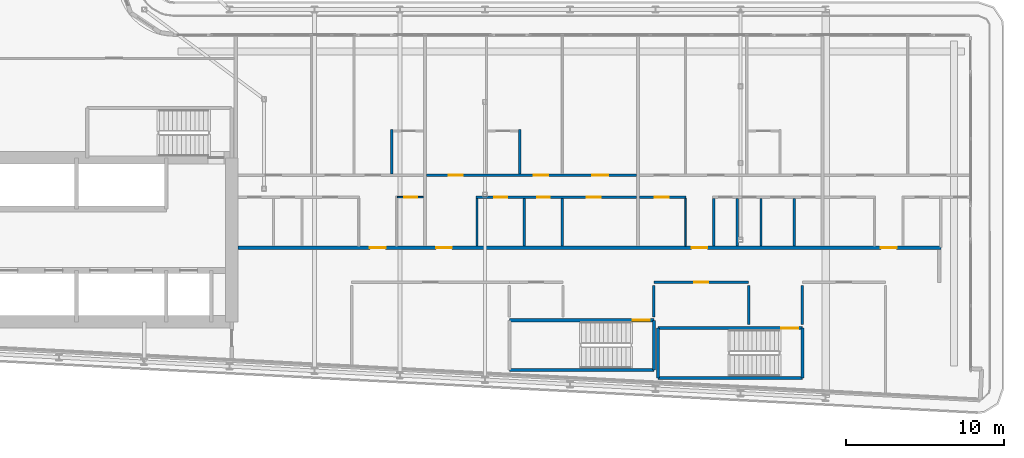
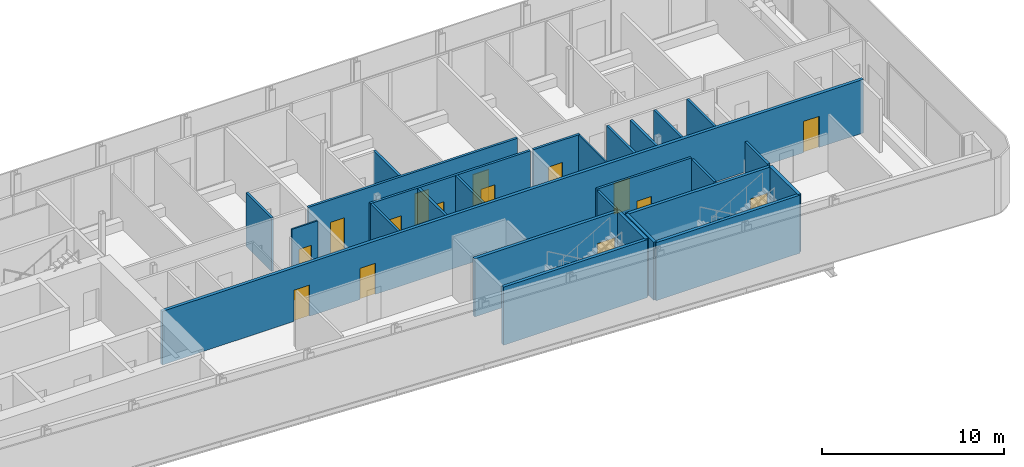
# One storey, part 16 of 29: 26 walls, 15 doors, 15 openings.
"""IFC4 building model written with IfcOpenShell, lengths in metres."""

import ifcopenshell
import ifcopenshell.guid

model = None  # the IFC model being written
_history = None  # IfcOwnerHistory: only IFC2X3 demands one
_inside = {}  # id of a spatial element -> (the spatial element, [elements in it])
_under = {}  # id of a project, library or spatial element -> (it, [spatial elements below it])
_declared = {}  # id of a project -> (the project, [libraries it declares])
_typed = {}  # id of a type object -> (the type object, [elements of that type])
_made_of = {}  # id of a material, layer set ... -> (it, [elements and type objects made of it])


def new_model(schema):
    """Start an empty IFC model of exactly this schema.

    Asked for "IFC4X3", IfcOpenShell would pick the latest addendum, in which some entities
    have other attributes; the version numbers below select the first issue.
    IFC2X3 requires an IfcOwnerHistory on every rooted entity: one is made here for all.
    """
    global model, _history
    if schema == "IFC4X3":
        model = ifcopenshell.file(schema_version=(4, 3, 0, 0))
    else:
        model = ifcopenshell.file(schema=schema)
    _inside.clear()
    _under.clear()
    _declared.clear()
    _typed.clear()
    _made_of.clear()
    _history = None
    if model.schema == "IFC2X3":
        org = make("IfcOrganization", Name="unknown")
        user = make(
            "IfcPersonAndOrganization",
            ThePerson=make("IfcPerson", FamilyName="unknown"),
            TheOrganization=org,
        )
        app = make(
            "IfcApplication",
            ApplicationDeveloper=org,
            Version="unknown",
            ApplicationFullName="unknown",
            ApplicationIdentifier="unknown",
        )
        _history = make(
            "IfcOwnerHistory",
            OwningUser=user,
            OwningApplication=app,
            ChangeAction="ADDED",
            CreationDate=0,
        )
    return model


def make(cls, **values):
    """One entity of the class cls with the attributes given. An attribute that is None is left unset."""
    return model.create_entity(
        cls, **{name: value for name, value in values.items() if value is not None}
    )


def rooted(cls, **values):
    """An entity with a GlobalId (a new one), such as an element, a storey or a relation."""
    return make(cls, GlobalId=ifcopenshell.guid.new(), OwnerHistory=_history, **values)


def si_unit(unit_type, name, prefix=None):
    """IfcSIUnit, for example si_unit("LENGTHUNIT", "METRE", prefix="MILLI")."""
    return make("IfcSIUnit", UnitType=unit_type, Prefix=prefix, Name=name)


def assignment(units):
    """IfcUnitAssignment: the units of a project."""
    return None if units is None else make("IfcUnitAssignment", Units=units)


def point(xyz):
    """IfcCartesianPoint."""
    return None if xyz is None else make("IfcCartesianPoint", Coordinates=xyz)


def direction(xyz):
    """IfcDirection."""
    return None if xyz is None else make("IfcDirection", DirectionRatios=xyz)


def frame(location, z_axis=None, x_axis=None):
    """IfcAxis2Placement3D, a coordinate frame: its origin and axes. An axis left out is left unset."""
    return make(
        "IfcAxis2Placement3D",
        Location=point(location),
        Axis=direction(z_axis),
        RefDirection=direction(x_axis),
    )


def frame_2d(location, x_axis=None):
    """IfcAxis2Placement2D, a coordinate frame in the plane: its origin and x axis."""
    return make(
        "IfcAxis2Placement2D", Location=point(location), RefDirection=direction(x_axis)
    )


def origin():
    """The frame at (0, 0, 0) with its axes left unset."""
    return frame((0.0, 0.0, 0.0))


def place(relative_to, where):
    """IfcLocalPlacement: puts the frame where relative to a parent placement (None: the world)."""
    return make(
        "IfcLocalPlacement", PlacementRelTo=relative_to, RelativePlacement=where
    )


def context(
    kind, dimensions, precision=None, world=None, true_north=None, identifier=None
):
    """IfcGeometricRepresentationContext, for example the 3D "Model" context."""
    return make(
        "IfcGeometricRepresentationContext",
        ContextIdentifier=identifier,
        ContextType=kind,
        CoordinateSpaceDimension=dimensions,
        Precision=precision,
        WorldCoordinateSystem=world,
        TrueNorth=true_north,
    )


def subcontext(parent, identifier, kind, view, scale=None):
    """IfcGeometricRepresentationSubContext, for example "Body" below "Model"."""
    return make(
        "IfcGeometricRepresentationSubContext",
        ContextIdentifier=identifier,
        ContextType=kind,
        ParentContext=parent,
        TargetScale=scale,
        TargetView=view,
    )


def project(units=None, contexts=None):
    """IfcProject with its units and contexts."""
    return rooted(
        "IfcProject",
        Name="project",
        RepresentationContexts=contexts,
        UnitsInContext=assignment(units),
    )


def spatial(cls, under=None, at=None, **own):
    """A site, building, storey or space (cls), placed at a placement, below another one or the project."""
    s = rooted(cls, ObjectPlacement=at, **own)
    if under is not None:
        _under.setdefault(under.id(), (under, []))[1].append(s)
    return s


def profile(cls, at=None, kind="AREA", **sizes):
    """A parametric profile (cls). Its sizes go by their IFC names, for example OverallWidth=200.0."""
    return make(cls, ProfileType=kind, Position=at, **sizes)


def rectangle(**sizes):
    """IfcRectangleProfileDef."""
    return profile("IfcRectangleProfileDef", **sizes)


def extrude(swept, where, along, depth):
    """IfcExtrudedAreaSolid: the profile swept, set in the frame where, extruded along a direction by depth."""
    return make(
        "IfcExtrudedAreaSolid",
        SweptArea=swept,
        Position=where,
        ExtrudedDirection=direction(along),
        Depth=depth,
    )


def shape(context_of_items, identifier, shape_type, items):
    """IfcShapeRepresentation: the items that make up one representation, for example the "Body"."""
    return make(
        "IfcShapeRepresentation",
        ContextOfItems=context_of_items,
        RepresentationIdentifier=identifier,
        RepresentationType=shape_type,
        Items=items,
    )


def source(mapping_origin, context_of_items, identifier, shape_type, items):
    """IfcRepresentationMap: a shape defined once, which mapped items show again and again."""
    return make(
        "IfcRepresentationMap",
        MappingOrigin=mapping_origin,
        MappedRepresentation=shape(context_of_items, identifier, shape_type, items),
    )


def transform(
    local_origin,
    x_axis=None,
    y_axis=None,
    z_axis=None,
    scale=None,
    scale2=None,
    scale3=None,
    uniform=True,
):
    """IfcCartesianTransformationOperator3D, or its non-uniform kind. x_axis, y_axis, z_axis: its Axis1, 2, 3."""
    if uniform:
        return make(
            "IfcCartesianTransformationOperator3D",
            Axis1=direction(x_axis),
            Axis2=direction(y_axis),
            LocalOrigin=point(local_origin),
            Scale=scale,
            Axis3=direction(z_axis),
        )
    return make(
        "IfcCartesianTransformationOperator3DnonUniform",
        Axis1=direction(x_axis),
        Axis2=direction(y_axis),
        LocalOrigin=point(local_origin),
        Scale=scale,
        Axis3=direction(z_axis),
        Scale2=scale2,
        Scale3=scale3,
    )


def mapped(mapping_source, mapping_target):
    """IfcMappedItem: shows the shape of a source again, moved by a transform."""
    return make(
        "IfcMappedItem", MappingSource=mapping_source, MappingTarget=mapping_target
    )


def material(Name=None, Category=None):
    """IfcMaterial."""
    return make("IfcMaterial", Name=Name, Category=Category)


def layer(
    of_material, thickness, ventilated=None, Name=None, Category=None, Priority=None
):
    """IfcMaterialLayer: one layer of a wall or slab, of a material (None: an air gap)."""
    return make(
        "IfcMaterialLayer",
        Material=of_material,
        LayerThickness=thickness,
        IsVentilated=ventilated,
        Name=Name,
        Category=Category,
        Priority=Priority,
    )


def layer_set(layers, Name=None):
    """IfcMaterialLayerSet."""
    return make("IfcMaterialLayerSet", MaterialLayers=layers, LayerSetName=Name)


def made_of(thing, what):
    """Note that an element or type object is made of a material, layer set ...; save() writes the relation."""
    if what is not None:
        _made_of.setdefault(what.id(), (what, []))[1].append(thing)
    return thing


def type_object(cls, material=None, **own):
    """A type object (cls), such as IfcWallType, which elements share."""
    return made_of(rooted(cls, **own), material)


def element(
    cls,
    number,
    at=None,
    inside=None,
    cuts=None,
    type_object=None,
    material=None,
    context=None,
    identifier="Body",
    shape_type=None,
    held_by="IfcProductDefinitionShape",
    body=None,
    shapes=None,
    **own,
):
    """One element of the class cls, such as IfcWall. Its Tag is "e" and its number.

    at: its placement. inside: the storey or other place that contains it. cuts: it is an
    opening in that element (IfcRelVoidsElement). A single representation is given by context,
    identifier, shape_type and body (its items); several are given by shapes. held_by: the class
    of the entity that holds the representations. save() writes the other relations.
    """
    e = rooted(cls, Tag="e%d" % number, ObjectPlacement=at, **own)
    if body is not None:
        shapes = [shape(context, identifier, shape_type, body)]
    if shapes is not None:
        e.Representation = make(held_by, Representations=shapes)
    if inside is not None:
        _inside.setdefault(inside.id(), (inside, []))[1].append(e)
    if cuts is not None:
        rooted(
            "IfcRelVoidsElement", RelatingBuildingElement=cuts, RelatedOpeningElement=e
        )
    if type_object is not None:
        _typed.setdefault(type_object.id(), (type_object, []))[1].append(e)
    return made_of(e, material)


def fill(opening, filler):
    """IfcRelFillsElement: the door or window that sits in an opening."""
    return rooted(
        "IfcRelFillsElement",
        RelatingOpeningElement=opening,
        RelatedBuildingElement=filler,
    )


def aggregate(whole, parts):
    """IfcRelAggregates: a whole, such as a stair, and the parts it consists of."""
    return rooted("IfcRelAggregates", RelatingObject=whole, RelatedObjects=parts)


def save(model, path):
    """Write the relations noted so far, then the file.

    IfcRelAggregates (storeys below a building ...), IfcRelContainedInSpatialStructure (elements
    in a storey), IfcRelDefinesByType, IfcRelAssociatesMaterial and IfcRelDeclares: one each for
    every whole, place, type object, material and project.
    """
    for whole, parts in _under.values():
        aggregate(whole, parts)
    for where, things in _inside.values():
        rooted(
            "IfcRelContainedInSpatialStructure",
            RelatedElements=things,
            RelatingStructure=where,
        )
    for kind, things in _typed.values():
        rooted("IfcRelDefinesByType", RelatedObjects=things, RelatingType=kind)
    for what, things in _made_of.values():
        rooted("IfcRelAssociatesMaterial", RelatedObjects=things, RelatingMaterial=what)
    for by, libraries in _declared.values():
        rooted("IfcRelDeclares", RelatingContext=by, RelatedDefinitions=libraries)
    model.write(path)


model = new_model("IFC4")

# Units and contexts
model_context = context("Model", 3, precision=1e-05, world=origin(), true_north=direction((0.0, 1.0)))
body_context = subcontext(model_context, "Body", "Model", "MODEL_VIEW")
ifc_project = project(units=[si_unit("LENGTHUNIT", "METRE"), si_unit("AREAUNIT", "SQUARE_METRE"), si_unit("VOLUMEUNIT", "CUBIC_METRE"), si_unit("PLANEANGLEUNIT", "RADIAN"), si_unit("MASSUNIT", "GRAM", prefix="KILO")], contexts=[model_context])

# Site, building, storey
site_placement = place(None, origin())
site = spatial("IfcSite", under=ifc_project, at=site_placement, CompositionType="ELEMENT")
building_placement = place(site_placement, origin())
building = spatial("IfcBuilding", under=site, at=building_placement, Name="Kheshtan School and Residences Tower", CompositionType="ELEMENT")
storey_placement = place(building_placement, frame((0.0, 0.0, 183.800048828125)))
storey = spatial("IfcBuildingStorey", under=building, at=storey_placement, Name="L43", CompositionType="ELEMENT", Elevation=183.800048828125)

# Wall, openings, doors
ifc_material_1 = material(Name="Gypsum board on steel studs with fire boards", Category="steel")
ifc_layer_1 = layer(ifc_material_1, 0.199951171875)
ifc_layer_set_1 = layer_set([ifc_layer_1], Name="Corridor wall 200")
wall_type_1 = type_object("IfcWallType", Name="Corridor wall 200", PredefinedType="PARTITIONING", material=ifc_layer_set_1)
wall_1_placement = place(storey_placement, frame((53.549072265625, 30.5, 0.0), z_axis=(0.0, 0.0, 1.0), x_axis=(1.0, 0.0, 0.0)))
wall_1 = element("IfcWall", 1, at=wall_1_placement, inside=storey, type_object=wall_type_1, Name="Partition L43-035", PredefinedType="PARTITIONING", context=body_context, shape_type="SweptSolid", body=[
    extrude(rectangle(XDim=44.551025390625, YDim=0.199951171875, at=frame_2d((22.275390625, 0.0))), origin(), (0.0, 0.0, 1.0), 3.599853515625),
])
opening_1_placement = place(wall_1_placement, frame((8.35107421875, 0.0, 0.0)))
opening_1 = element("IfcOpeningElement", 2, at=opening_1_placement, cuts=wall_1, Name="Opening D43-004", PredefinedType="OPENING", context=body_context, shape_type="SweptSolid", body=[
    extrude(rectangle(XDim=1.0, YDim=2.10009765625, at=frame_2d((0.5, 1.050048828125))), frame((0.0, 0.10986328125, 0.0), z_axis=(0.0, -1.0, 0.0), x_axis=(1.0, 0.0, 0.0)), (0.0, 0.0, 1.0), 0.219970703125),
])
opening_2_placement = place(wall_1_placement, frame((12.551025390625, 0.0, 0.0)))
opening_2 = element("IfcOpeningElement", 3, at=opening_2_placement, cuts=wall_1, Name="Opening D43-013", PredefinedType="OPENING", context=body_context, shape_type="SweptSolid", body=[
    extrude(rectangle(XDim=1.0, YDim=2.10009765625, at=frame_2d((0.5, 1.050048828125))), frame((0.0, 0.10986328125, 0.0), z_axis=(0.0, -1.0, 0.0), x_axis=(1.0, 0.0, 0.0)), (0.0, 0.0, 1.0), 0.219970703125),
])
opening_3_placement = place(wall_1_placement, frame((28.7509765625, 0.0, 0.0)))
opening_3 = element("IfcOpeningElement", 4, at=opening_3_placement, cuts=wall_1, Name="Opening D43-021", PredefinedType="OPENING", context=body_context, shape_type="SweptSolid", body=[
    extrude(rectangle(XDim=1.0, YDim=2.10009765625, at=frame_2d((0.5, 1.050048828125))), frame((0.0, 0.10986328125, 0.0), z_axis=(0.0, -1.0, 0.0), x_axis=(1.0, 0.0, 0.0)), (0.0, 0.0, 1.0), 0.219970703125),
])
opening_4_placement = place(wall_1_placement, frame((40.7509765625, 0.0, 0.0)))
opening_4 = element("IfcOpeningElement", 5, at=opening_4_placement, cuts=wall_1, Name="Opening D43-030", PredefinedType="OPENING", context=body_context, shape_type="SweptSolid", body=[
    extrude(rectangle(XDim=1.0, YDim=2.10009765625, at=frame_2d((0.5, 1.050048828125))), frame((0.0, 0.10986328125, 0.0), z_axis=(0.0, -1.0, 0.0), x_axis=(1.0, 0.0, 0.0)), (0.0, 0.0, 1.0), 0.219970703125),
])
ifc_material_2 = material(Name="Steel-framed fire-resisting door leaf", Category="steel")
door_type_1 = type_object("IfcDoorType", Name="Fire door FD30S 1000 x 2100", OperationType="SINGLE_SWING_LEFT", PredefinedType="DOOR", material=ifc_material_2)
shared_shape_1 = source(origin(), body_context, "Body", "SweptSolid", [
    extrude(rectangle(XDim=1.0, YDim=2.10009765625, at=frame_2d((0.5, 1.050048828125))), frame((0.0, 0.02490234375, 0.0), z_axis=(0.0, -1.0, 0.0), x_axis=(1.0, 0.0, 0.0)), (0.0, 0.0, 1.0), 0.050048828125),
])
door_1_placement = place(opening_1_placement, origin())
door_1 = element("IfcDoor", 6, at=door_1_placement, inside=storey, type_object=door_type_1, Name="Door D43-004", OperationType="SINGLE_SWING_RIGHT", OverallHeight=2.10009765625, OverallWidth=1.0, PredefinedType="DOOR", context=body_context, shape_type="MappedRepresentation", body=[
    mapped(shared_shape_1, transform((0.0, 0.0, 0.0), x_axis=(1.0, 0.0, 0.0), y_axis=(0.0, 1.0, 0.0), z_axis=(0.0, 0.0, 1.0), scale=1.0)),
])
fill(opening_1, door_1)
door_2_placement = place(opening_2_placement, origin())
door_2 = element("IfcDoor", 7, at=door_2_placement, inside=storey, type_object=door_type_1, Name="Door D43-013", OperationType="SINGLE_SWING_LEFT", OverallHeight=2.10009765625, OverallWidth=1.0, PredefinedType="DOOR", context=body_context, shape_type="MappedRepresentation", body=[
    mapped(shared_shape_1, transform((0.0, 0.0, 0.0), x_axis=(1.0, 0.0, 0.0), y_axis=(0.0, 1.0, 0.0), z_axis=(0.0, 0.0, 1.0), scale=1.0)),
])
fill(opening_2, door_2)
door_3_placement = place(opening_3_placement, origin())
door_3 = element("IfcDoor", 8, at=door_3_placement, inside=storey, type_object=door_type_1, Name="Door D43-021", OperationType="SINGLE_SWING_RIGHT", OverallHeight=2.10009765625, OverallWidth=1.0, PredefinedType="DOOR", context=body_context, shape_type="MappedRepresentation", body=[
    mapped(shared_shape_1, transform((0.0, 0.0, 0.0), x_axis=(1.0, 0.0, 0.0), y_axis=(0.0, 1.0, 0.0), z_axis=(0.0, 0.0, 1.0), scale=1.0)),
])
fill(opening_3, door_3)
door_4_placement = place(opening_4_placement, origin())
door_4 = element("IfcDoor", 9, at=door_4_placement, inside=storey, type_object=door_type_1, Name="Door D43-030", OperationType="SINGLE_SWING_RIGHT", OverallHeight=2.10009765625, OverallWidth=1.0, PredefinedType="DOOR", context=body_context, shape_type="MappedRepresentation", body=[
    mapped(shared_shape_1, transform((0.0, 0.0, 0.0), x_axis=(1.0, 0.0, 0.0), y_axis=(0.0, 1.0, 0.0), z_axis=(0.0, 0.0, 1.0), scale=1.0)),
])
fill(opening_4, door_4)

# Wall, opening, door
ifc_material_3 = material(Name="Gypsum board on steel studs", Category="steel")
ifc_layer_2 = layer(ifc_material_3, 0.10009765625)
ifc_layer_set_2 = layer_set([ifc_layer_2], Name="Gypsum partition 100")
wall_type_2 = type_object("IfcWallType", Name="Gypsum partition 100", PredefinedType="PARTITIONING", material=ifc_layer_set_2)
wall_2_placement = place(storey_placement, frame((63.64990234375, 33.699951171875, 0.0), z_axis=(0.0, 0.0, 1.0), x_axis=(1.0, 0.0, 0.0)))
wall_2 = element("IfcWall", 10, at=wall_2_placement, inside=storey, type_object=wall_type_2, Name="Partition L43-046", PredefinedType="PARTITIONING", context=body_context, shape_type="SweptSolid", body=[
    extrude(rectangle(XDim=1.650146484375, YDim=0.10009765625, at=frame_2d((0.8251953125, 0.0))), origin(), (0.0, 0.0, 1.0), 3.599853515625),
])
opening_5_placement = place(wall_2_placement, frame((0.449951171875, 0.0, 0.0)))
opening_5 = element("IfcOpeningElement", 11, at=opening_5_placement, cuts=wall_2, Name="Opening D43-008", PredefinedType="OPENING", context=body_context, shape_type="SweptSolid", body=[
    extrude(rectangle(XDim=0.800048828125, YDim=2.10009765625, at=frame_2d((0.39990234375, 1.050048828125))), frame((0.0, 0.06005859375, 0.0), z_axis=(0.0, -1.0, 0.0), x_axis=(1.0, 0.0, 0.0)), (0.0, 0.0, 1.0), 0.1201171875),
])
ifc_material_4 = material(Name="Veneered timber door leaf", Category="wood")
door_type_2 = type_object("IfcDoorType", Name="Door 800 x 2100", OperationType="SINGLE_SWING_LEFT", PredefinedType="DOOR", material=ifc_material_4)
shared_shape_2 = source(origin(), body_context, "Body", "SweptSolid", [
    extrude(rectangle(XDim=0.800048828125, YDim=2.10009765625, at=frame_2d((0.39990234375, 1.050048828125))), frame((0.0, 0.02490234375, 0.0), z_axis=(0.0, -1.0, 0.0), x_axis=(1.0, 0.0, 0.0)), (0.0, 0.0, 1.0), 0.050048828125),
])
door_5_placement = place(opening_5_placement, origin())
door_5 = element("IfcDoor", 12, at=door_5_placement, inside=storey, type_object=door_type_2, Name="Door D43-008", OperationType="SINGLE_SWING_LEFT", OverallHeight=2.10009765625, OverallWidth=0.800048828125, PredefinedType="DOOR", context=body_context, shape_type="MappedRepresentation", body=[
    mapped(shared_shape_2, transform((0.0, 0.0, 0.0), x_axis=(1.0, 0.0, 0.0), y_axis=(0.0, 1.0, 0.0), z_axis=(0.0, 0.0, 1.0), scale=1.0)),
])
fill(opening_5, door_5)

# Wall
wall_3_placement = place(storey_placement, frame((81.89990234375, 30.60009765625, 0.0), z_axis=(0.0, 0.0, 1.0), x_axis=(0.0, 1.0, 0.0)))
element("IfcWall", 13, at=wall_3_placement, inside=storey, type_object=wall_type_2, Name="Partition L43-060", PredefinedType="PARTITIONING", context=body_context, shape_type="SweptSolid", body=[
    extrude(rectangle(XDim=3.02490234375, YDim=0.10009765625, at=frame_2d((1.512451171875, 0.0))), origin(), (0.0, 0.0, 1.0), 3.599853515625),
])

# Wall, opening, door
ifc_material_5 = material(Name="Fire-board shaft wall system")
ifc_layer_3 = layer(ifc_material_5, 0.14990234375)
ifc_layer_set_3 = layer_set([ifc_layer_3], Name="Service room wall 150")
wall_type_3 = type_object("IfcWallType", Name="Service room wall 150", PredefinedType="PARTITIONING", material=ifc_layer_set_3)
wall_4_placement = place(storey_placement, frame((79.909912109375, 28.300048828125, 0.0), z_axis=(0.0, 0.0, 1.0), x_axis=(1.0, 0.0, 0.0)))
wall_4 = element("IfcWall", 14, at=wall_4_placement, inside=storey, type_object=wall_type_3, Name="Service room wall", PredefinedType="PARTITIONING", context=body_context, shape_type="SweptSolid", body=[
    extrude(rectangle(XDim=6.010009765625, YDim=0.14990234375, at=frame_2d((3.0048828125, 0.0))), origin(), (0.0, 0.0, 1.0), 3.89990234375),
])
opening_6_placement = place(wall_4_placement, frame((2.554931640625, 0.0, 0.0)))
opening_6 = element("IfcOpeningElement", 15, at=opening_6_placement, cuts=wall_4, Name="Opening SR90", PredefinedType="OPENING", context=body_context, shape_type="SweptSolid", body=[
    extrude(rectangle(XDim=0.89990234375, YDim=2.199951171875, at=frame_2d((0.449951171875, 1.10009765625))), frame((0.0, 0.0849609375, 0.0), z_axis=(0.0, -1.0, 0.0), x_axis=(1.0, 0.0, 0.0)), (0.0, 0.0, 1.0), 0.169921875),
])
ifc_material_6 = material(Name="Steel door leaf, galvanised", Category="steel")
door_type_3 = type_object("IfcDoorType", Name="Service room door 900 steel 90 min", OperationType="SINGLE_SWING_LEFT", PredefinedType="DOOR", material=ifc_material_6)
shared_shape_3 = source(origin(), body_context, "Body", "SweptSolid", [
    extrude(rectangle(XDim=0.89990234375, YDim=2.199951171875, at=frame_2d((0.449951171875, 1.10009765625))), frame((0.0, 0.02490234375, 0.0), z_axis=(0.0, -1.0, 0.0), x_axis=(1.0, 0.0, 0.0)), (0.0, 0.0, 1.0), 0.050048828125),
])
door_6_placement = place(opening_6_placement, origin())
door_6 = element("IfcDoor", 16, at=door_6_placement, inside=storey, type_object=door_type_3, Name="Service room door", OperationType="SINGLE_SWING_LEFT", OverallHeight=2.199951171875, OverallWidth=0.89990234375, PredefinedType="DOOR", context=body_context, shape_type="MappedRepresentation", body=[
    mapped(shared_shape_3, transform((0.0, 0.0, 0.0), x_axis=(1.0, 0.0, 0.0), y_axis=(0.0, 1.0, 0.0), z_axis=(0.0, 0.0, 1.0), scale=1.0)),
])
fill(opening_6, door_6)

# Walls
wall_5_placement = place(storey_placement, frame((79.909912109375, 26.1201171875, 0.0), z_axis=(0.0, 0.0, 1.0), x_axis=(0.0, 1.0, 0.0)))
element("IfcWall", 17, at=wall_5_placement, inside=storey, type_object=wall_type_3, Name="Service room wall", PredefinedType="PARTITIONING", context=body_context, shape_type="SweptSolid", body=[
    extrude(rectangle(XDim=1.98486328125, YDim=0.14990234375, at=frame_2d((0.992431640625, 0.0))), origin(), (0.0, 0.0, 1.0), 3.89990234375),
])
for number, where, z_axis, x_axis, name in (
    (18, (85.919921875, 25.6201171875, 0.0), (0.0, 0.0, 1.0), (0.0, 1.0, 0.0), "Service room wall"),
    (19, (89.320068359375, 25.6201171875, 0.0), (0.0, 0.0, 1.0), (0.0, 1.0, 0.0), "Service room wall"),
):
    element("IfcWall", number, at=place(storey_placement, frame(where, z_axis=z_axis, x_axis=x_axis)), inside=storey, type_object=wall_type_3, Name=name, PredefinedType="PARTITIONING", context=body_context, shape_type="SweptSolid", body=[
        extrude(rectangle(XDim=2.48486328125, YDim=0.14990234375, at=frame_2d((1.242431640625, 0.0))), origin(), (0.0, 0.0, 1.0), 3.89990234375),
    ])
ifc_material_7 = material(Name="Concrete C40/50", Category="concrete")
ifc_layer_4 = layer(ifc_material_7, 0.199951171875)
ifc_layer_set_4 = layer_set([ifc_layer_4], Name="Stair enclosure wall 200 Concrete C40/50")
wall_type_4 = type_object("IfcWallType", Name="Stair enclosure wall 200 Concrete C40/50", PredefinedType="SHEAR", material=ifc_layer_set_4)
wall_6_placement = place(storey_placement, frame((80.159912109375, 22.25, 0.0), z_axis=(0.0, 0.0, 1.0), x_axis=(1.0, 0.0, 0.0)))
element("IfcWall", 20, at=wall_6_placement, inside=storey, type_object=wall_type_4, Name="Stair enclosure wall ST4", PredefinedType="SHEAR", context=body_context, shape_type="SweptSolid", body=[
    extrude(rectangle(XDim=9.16015625, YDim=0.199951171875, at=frame_2d((4.580078125, 0.0))), origin(), (0.0, 0.0, 1.0), 3.89990234375),
])

# Wall, opening, door
wall_7_placement = place(storey_placement, frame((80.159912109375, 25.39990234375, 0.0), z_axis=(0.0, 0.0, 1.0), x_axis=(1.0, 0.0, 0.0)))
wall_7 = element("IfcWall", 21, at=wall_7_placement, inside=storey, type_object=wall_type_4, Name="Stair enclosure wall ST4", PredefinedType="SHEAR", context=body_context, shape_type="SweptSolid", body=[
    extrude(rectangle(XDim=9.16015625, YDim=0.199951171875, at=frame_2d((4.580078125, 0.0))), origin(), (0.0, 0.0, 1.0), 3.89990234375),
])
opening_7_placement = place(wall_7_placement, frame((7.81005859375, 0.0, 0.0)))
opening_7 = element("IfcOpeningElement", 22, at=opening_7_placement, cuts=wall_7, Name="Opening ST4D", PredefinedType="OPENING", context=body_context, shape_type="SweptSolid", body=[
    extrude(rectangle(XDim=1.10009765625, YDim=2.199951171875, at=frame_2d((0.550048828125, 1.10009765625))), frame((0.0, 0.10986328125, 0.0), z_axis=(0.0, -1.0, 0.0), x_axis=(1.0, 0.0, 0.0)), (0.0, 0.0, 1.0), 0.219970703125),
])
door_type_4 = type_object("IfcDoorType", Name="Stair door 1100 steel 90 min", OperationType="SINGLE_SWING_LEFT", PredefinedType="DOOR", material=ifc_material_6)
shared_shape_4 = source(origin(), body_context, "Body", "SweptSolid", [
    extrude(rectangle(XDim=1.10009765625, YDim=2.199951171875, at=frame_2d((0.550048828125, 1.10009765625))), frame((0.0, 0.02490234375, 0.0), z_axis=(0.0, -1.0, 0.0), x_axis=(1.0, 0.0, 0.0)), (0.0, 0.0, 1.0), 0.050048828125),
])
door_7_placement = place(opening_7_placement, origin())
door_7 = element("IfcDoor", 23, at=door_7_placement, inside=storey, type_object=door_type_4, Name="Stair ST4 door", OperationType="SINGLE_SWING_LEFT", OverallHeight=2.199951171875, OverallWidth=1.10009765625, PredefinedType="DOOR", context=body_context, shape_type="MappedRepresentation", body=[
    mapped(shared_shape_4, transform((0.0, 0.0, 0.0), x_axis=(1.0, 0.0, 0.0), y_axis=(0.0, 1.0, 0.0), z_axis=(0.0, 0.0, 1.0), scale=1.0)),
])
fill(opening_7, door_7)

# Walls
for number, where, z_axis, x_axis, name in (
    (24, (80.159912109375, 22.25, 0.0), (0.0, 0.0, 1.0), (0.0, 1.0, 0.0), "Stair enclosure wall ST4"),
    (25, (89.320068359375, 22.25, 0.0), (0.0, 0.0, 1.0), (0.0, 1.0, 0.0), "Stair enclosure wall ST4"),
):
    element("IfcWall", number, at=place(storey_placement, frame(where, z_axis=z_axis, x_axis=x_axis)), inside=storey, type_object=wall_type_4, Name=name, PredefinedType="SHEAR", context=body_context, shape_type="SweptSolid", body=[
        extrude(rectangle(XDim=3.14990234375, YDim=0.199951171875, at=frame_2d((1.574951171875, 0.0))), origin(), (0.0, 0.0, 1.0), 3.89990234375),
    ])
wall_8_placement = place(storey_placement, frame((70.75, 22.75, 0.0), z_axis=(0.0, 0.0, 1.0), x_axis=(1.0, 0.0, 0.0)))
element("IfcWall", 26, at=wall_8_placement, inside=storey, type_object=wall_type_4, Name="Stair enclosure wall ST5", PredefinedType="SHEAR", context=body_context, shape_type="SweptSolid", body=[
    extrude(rectangle(XDim=9.159912109375, YDim=0.199951171875, at=frame_2d((4.580078125, 0.0))), origin(), (0.0, 0.0, 1.0), 3.89990234375),
])

# Wall, opening, door
wall_9_placement = place(storey_placement, frame((70.75, 25.89990234375, 0.0), z_axis=(0.0, 0.0, 1.0), x_axis=(1.0, 0.0, 0.0)))
wall_9 = element("IfcWall", 27, at=wall_9_placement, inside=storey, type_object=wall_type_4, Name="Stair enclosure wall ST5", PredefinedType="SHEAR", context=body_context, shape_type="SweptSolid", body=[
    extrude(rectangle(XDim=9.159912109375, YDim=0.199951171875, at=frame_2d((4.580078125, 0.0))), origin(), (0.0, 0.0, 1.0), 3.89990234375),
])
opening_8_placement = place(wall_9_placement, frame((7.81005859375, 0.0, 0.0)))
opening_8 = element("IfcOpeningElement", 28, at=opening_8_placement, cuts=wall_9, Name="Opening ST5D", PredefinedType="OPENING", context=body_context, shape_type="SweptSolid", body=[
    extrude(rectangle(XDim=1.10009765625, YDim=2.199951171875, at=frame_2d((0.550048828125, 1.10009765625))), frame((0.0, 0.10986328125, 0.0), z_axis=(0.0, -1.0, 0.0), x_axis=(1.0, 0.0, 0.0)), (0.0, 0.0, 1.0), 0.219970703125),
])
door_8_placement = place(opening_8_placement, origin())
door_8 = element("IfcDoor", 29, at=door_8_placement, inside=storey, type_object=door_type_4, Name="Stair ST5 door", OperationType="SINGLE_SWING_LEFT", OverallHeight=2.199951171875, OverallWidth=1.10009765625, PredefinedType="DOOR", context=body_context, shape_type="MappedRepresentation", body=[
    mapped(shared_shape_4, transform((0.0, 0.0, 0.0), x_axis=(1.0, 0.0, 0.0), y_axis=(0.0, 1.0, 0.0), z_axis=(0.0, 0.0, 1.0), scale=1.0)),
])
fill(opening_8, door_8)

# Walls
wall_10_placement = place(storey_placement, frame((79.909912109375, 22.75, 0.0), z_axis=(0.0, 0.0, 1.0), x_axis=(0.0, 1.0, 0.0)))
element("IfcWall", 30, at=wall_10_placement, inside=storey, type_object=wall_type_4, Name="Stair enclosure wall ST5", PredefinedType="SHEAR", context=body_context, shape_type="SweptSolid", body=[
    extrude(rectangle(XDim=3.14990234375, YDim=0.199951171875, at=frame_2d((1.574951171875, 0.0))), origin(), (0.0, 0.0, 1.0), 3.89990234375),
])
ifc_material_8 = material(Name="Moisture-resistant gypsum board on steel studs", Category="steel")
ifc_layer_5 = layer(ifc_material_8, 0.14990234375)
ifc_layer_set_5 = layer_set([ifc_layer_5], Name="Wet-room partition 150")
wall_type_5 = type_object("IfcWallType", Name="Wet-room partition 150", PredefinedType="PARTITIONING", material=ifc_layer_set_5)
wall_11_placement = place(storey_placement, frame((63.300048828125, 35.175048828125, 0.0), z_axis=(0.0, 0.0, 1.0), x_axis=(0.0, 1.0, 0.0)))
element("IfcWall", 31, at=wall_11_placement, inside=storey, type_object=wall_type_5, Name="Partition L43-043", PredefinedType="PARTITIONING", context=body_context, shape_type="SweptSolid", body=[
    extrude(rectangle(XDim=2.800048828125, YDim=0.14990234375, at=frame_2d((1.39990234375, 0.0))), origin(), (0.0, 0.0, 1.0), 3.599853515625),
])

# Wall, openings, doors
wall_12_placement = place(storey_placement, frame((65.5, 35.10009765625, 0.0), z_axis=(0.0, 0.0, 1.0), x_axis=(1.0, 0.0, 0.0)))
wall_12 = element("IfcWall", 32, at=wall_12_placement, inside=storey, type_object=wall_type_5, Name="Partition L43-048", PredefinedType="PARTITIONING", context=body_context, shape_type="SweptSolid", body=[
    extrude(rectangle(XDim=13.300048828125, YDim=0.14990234375, at=frame_2d((6.64990234375, 0.0))), origin(), (0.0, 0.0, 1.0), 3.599853515625),
])
opening_9_placement = place(wall_12_placement, frame((1.39990234375, 0.0, 0.0)))
opening_9 = element("IfcOpeningElement", 33, at=opening_9_placement, cuts=wall_12, Name="Opening D43-011", PredefinedType="OPENING", context=body_context, shape_type="SweptSolid", body=[
    extrude(rectangle(XDim=0.89990234375, YDim=2.10009765625, at=frame_2d((0.449951171875, 1.050048828125))), frame((0.0, 0.0849609375, 0.0), z_axis=(0.0, -1.0, 0.0), x_axis=(1.0, 0.0, 0.0)), (0.0, 0.0, 1.0), 0.169921875),
])
opening_10_placement = place(wall_12_placement, frame((10.5, 0.0, 0.0)))
opening_10 = element("IfcOpeningElement", 34, at=opening_10_placement, cuts=wall_12, Name="Opening D43-015", PredefinedType="OPENING", context=body_context, shape_type="SweptSolid", body=[
    extrude(rectangle(XDim=1.0, YDim=2.10009765625, at=frame_2d((0.5, 1.050048828125))), frame((0.0, 0.0849609375, 0.0), z_axis=(0.0, -1.0, 0.0), x_axis=(1.0, 0.0, 0.0)), (0.0, 0.0, 1.0), 0.169921875),
])
opening_11_placement = place(wall_12_placement, frame((6.800048828125, 0.0, 0.0)))
opening_11 = element("IfcOpeningElement", 35, at=opening_11_placement, cuts=wall_12, Name="Opening D43-016", PredefinedType="OPENING", context=body_context, shape_type="SweptSolid", body=[
    extrude(rectangle(XDim=0.89990234375, YDim=2.10009765625, at=frame_2d((0.449951171875, 1.050048828125))), frame((0.0, 0.0849609375, 0.0), z_axis=(0.0, -1.0, 0.0), x_axis=(1.0, 0.0, 0.0)), (0.0, 0.0, 1.0), 0.169921875),
])
door_type_5 = type_object("IfcDoorType", Name="Door 1000 x 2100", OperationType="SINGLE_SWING_LEFT", PredefinedType="DOOR", material=ifc_material_4)
shared_shape_5 = source(origin(), body_context, "Body", "SweptSolid", [
    extrude(rectangle(XDim=1.0, YDim=2.10009765625, at=frame_2d((0.5, 1.050048828125))), frame((0.0, 0.02490234375, 0.0), z_axis=(0.0, -1.0, 0.0), x_axis=(1.0, 0.0, 0.0)), (0.0, 0.0, 1.0), 0.050048828125),
])
door_9_placement = place(opening_10_placement, origin())
door_9 = element("IfcDoor", 36, at=door_9_placement, inside=storey, type_object=door_type_5, Name="Door D43-015", OperationType="SINGLE_SWING_RIGHT", OverallHeight=2.10009765625, OverallWidth=1.0, PredefinedType="DOOR", context=body_context, shape_type="MappedRepresentation", body=[
    mapped(shared_shape_5, transform((0.0, 0.0, 0.0), x_axis=(1.0, 0.0, 0.0), y_axis=(0.0, 1.0, 0.0), z_axis=(0.0, 0.0, 1.0), scale=1.0)),
])
fill(opening_10, door_9)
door_type_6 = type_object("IfcDoorType", Name="Door 900 x 2100", OperationType="SINGLE_SWING_LEFT", PredefinedType="DOOR", material=ifc_material_4)
shared_shape_6 = source(origin(), body_context, "Body", "SweptSolid", [
    extrude(rectangle(XDim=0.89990234375, YDim=2.10009765625, at=frame_2d((0.449951171875, 1.050048828125))), frame((0.0, 0.02490234375, 0.0), z_axis=(0.0, -1.0, 0.0), x_axis=(1.0, 0.0, 0.0)), (0.0, 0.0, 1.0), 0.050048828125),
])
door_10_placement = place(opening_9_placement, origin())
door_10 = element("IfcDoor", 37, at=door_10_placement, inside=storey, type_object=door_type_6, Name="Door D43-011", OperationType="SINGLE_SWING_RIGHT", OverallHeight=2.10009765625, OverallWidth=0.89990234375, PredefinedType="DOOR", context=body_context, shape_type="MappedRepresentation", body=[
    mapped(shared_shape_6, transform((0.0, 0.0, 0.0), x_axis=(1.0, 0.0, 0.0), y_axis=(0.0, 1.0, 0.0), z_axis=(0.0, 0.0, 1.0), scale=1.0)),
])
fill(opening_9, door_10)
door_11_placement = place(opening_11_placement, origin())
door_11 = element("IfcDoor", 38, at=door_11_placement, inside=storey, type_object=door_type_6, Name="Door D43-016", OperationType="SINGLE_SWING_LEFT", OverallHeight=2.10009765625, OverallWidth=0.89990234375, PredefinedType="DOOR", context=body_context, shape_type="MappedRepresentation", body=[
    mapped(shared_shape_6, transform((0.0, 0.0, 0.0), x_axis=(1.0, 0.0, 0.0), y_axis=(0.0, 1.0, 0.0), z_axis=(0.0, 0.0, 1.0), scale=1.0)),
])
fill(opening_11, door_11)

wall_13_placement = place(storey_placement, frame((68.625, 33.699951171875, 0.0), z_axis=(0.0, 0.0, 1.0), x_axis=(1.0, 0.0, 0.0)))
wall_13 = element("IfcWall", 39, at=wall_13_placement, inside=storey, type_object=wall_type_5, Name="Partition L43-049", PredefinedType="PARTITIONING", context=body_context, shape_type="SweptSolid", body=[
    extrude(rectangle(XDim=10.175048828125, YDim=0.14990234375, at=frame_2d((5.08740234375, 0.0))), origin(), (0.0, 0.0, 1.0), 3.599853515625),
])
opening_12_placement = place(wall_13_placement, frame((1.175048828125, 0.0, 0.0)))
opening_12 = element("IfcOpeningElement", 40, at=opening_12_placement, cuts=wall_13, Name="Opening D43-010", PredefinedType="OPENING", context=body_context, shape_type="SweptSolid", body=[
    extrude(rectangle(XDim=0.800048828125, YDim=2.10009765625, at=frame_2d((0.39990234375, 1.050048828125))), frame((0.0, 0.0849609375, 0.0), z_axis=(0.0, -1.0, 0.0), x_axis=(1.0, 0.0, 0.0)), (0.0, 0.0, 1.0), 0.169921875),
])
opening_13_placement = place(wall_13_placement, frame((7.02490234375, 0.0, 0.0)))
opening_13 = element("IfcOpeningElement", 41, at=opening_13_placement, cuts=wall_13, Name="Opening D43-014", PredefinedType="OPENING", context=body_context, shape_type="SweptSolid", body=[
    extrude(rectangle(XDim=0.89990234375, YDim=2.10009765625, at=frame_2d((0.449951171875, 1.050048828125))), frame((0.0, 0.0849609375, 0.0), z_axis=(0.0, -1.0, 0.0), x_axis=(1.0, 0.0, 0.0)), (0.0, 0.0, 1.0), 0.169921875),
])
opening_14_placement = place(wall_13_placement, frame((3.875, 0.0, 0.0)))
opening_14 = element("IfcOpeningElement", 42, at=opening_14_placement, cuts=wall_13, Name="Opening D43-017", PredefinedType="OPENING", context=body_context, shape_type="SweptSolid", body=[
    extrude(rectangle(XDim=0.800048828125, YDim=2.10009765625, at=frame_2d((0.39990234375, 1.050048828125))), frame((0.0, 0.0849609375, 0.0), z_axis=(0.0, -1.0, 0.0), x_axis=(1.0, 0.0, 0.0)), (0.0, 0.0, 1.0), 0.169921875),
])
door_12_placement = place(opening_12_placement, origin())
door_12 = element("IfcDoor", 43, at=door_12_placement, inside=storey, type_object=door_type_2, Name="Door D43-010", OperationType="SINGLE_SWING_LEFT", OverallHeight=2.10009765625, OverallWidth=0.800048828125, PredefinedType="DOOR", context=body_context, shape_type="MappedRepresentation", body=[
    mapped(shared_shape_2, transform((0.0, 0.0, 0.0), x_axis=(1.0, 0.0, 0.0), y_axis=(0.0, 1.0, 0.0), z_axis=(0.0, 0.0, 1.0), scale=1.0)),
])
fill(opening_12, door_12)
door_13_placement = place(opening_14_placement, origin())
door_13 = element("IfcDoor", 44, at=door_13_placement, inside=storey, type_object=door_type_2, Name="Door D43-017", OperationType="SINGLE_SWING_RIGHT", OverallHeight=2.10009765625, OverallWidth=0.800048828125, PredefinedType="DOOR", context=body_context, shape_type="MappedRepresentation", body=[
    mapped(shared_shape_2, transform((0.0, 0.0, 0.0), x_axis=(1.0, 0.0, 0.0), y_axis=(0.0, 1.0, 0.0), z_axis=(0.0, 0.0, 1.0), scale=1.0)),
])
fill(opening_14, door_13)
door_14_placement = place(opening_13_placement, origin())
door_14 = element("IfcDoor", 45, at=door_14_placement, inside=storey, type_object=door_type_6, Name="Door D43-014", OperationType="SINGLE_SWING_LEFT", OverallHeight=2.10009765625, OverallWidth=0.89990234375, PredefinedType="DOOR", context=body_context, shape_type="MappedRepresentation", body=[
    mapped(shared_shape_6, transform((0.0, 0.0, 0.0), x_axis=(1.0, 0.0, 0.0), y_axis=(0.0, 1.0, 0.0), z_axis=(0.0, 0.0, 1.0), scale=1.0)),
])
fill(opening_13, door_14)

# Walls
wall_14_placement = place(storey_placement, frame((68.699951171875, 30.60009765625, 0.0), z_axis=(0.0, 0.0, 1.0), x_axis=(0.0, 1.0, 0.0)))
element("IfcWall", 46, at=wall_14_placement, inside=storey, type_object=wall_type_5, Name="Partition L43-050", PredefinedType="PARTITIONING", context=body_context, shape_type="SweptSolid", body=[
    extrude(rectangle(XDim=3.02490234375, YDim=0.14990234375, at=frame_2d((1.512451171875, 0.0))), origin(), (0.0, 0.0, 1.0), 3.599853515625),
])
wall_15_placement = place(storey_placement, frame((71.39990234375, 35.175048828125, 0.0), z_axis=(0.0, 0.0, 1.0), x_axis=(0.0, 1.0, 0.0)))
element("IfcWall", 47, at=wall_15_placement, inside=storey, type_object=wall_type_5, Name="Partition L43-053", PredefinedType="PARTITIONING", context=body_context, shape_type="SweptSolid", body=[
    extrude(rectangle(XDim=2.800048828125, YDim=0.14990234375, at=frame_2d((1.39990234375, 0.0))), origin(), (0.0, 0.0, 1.0), 3.599853515625),
])
for number, where, z_axis, x_axis, name in (
    (48, (71.699951171875, 30.60009765625, 0.0), (0.0, 0.0, 1.0), (0.0, 1.0, 0.0), "Partition L43-054"),
    (49, (74.10009765625, 30.60009765625, 0.0), (0.0, 0.0, 1.0), (0.0, 1.0, 0.0), "Partition L43-055"),
):
    element("IfcWall", number, at=place(storey_placement, frame(where, z_axis=z_axis, x_axis=x_axis)), inside=storey, type_object=wall_type_5, Name=name, PredefinedType="PARTITIONING", context=body_context, shape_type="SweptSolid", body=[
        extrude(rectangle(XDim=3.02490234375, YDim=0.14990234375, at=frame_2d((1.512451171875, 0.0))), origin(), (0.0, 0.0, 1.0), 3.599853515625),
    ])

# Wall, opening, door
wall_16_placement = place(storey_placement, frame((79.0, 33.699951171875, 0.0), z_axis=(0.0, 0.0, 1.0), x_axis=(1.0, 0.0, 0.0)))
wall_16 = element("IfcWall", 50, at=wall_16_placement, inside=storey, type_object=wall_type_5, Name="Partition L43-058", PredefinedType="PARTITIONING", context=body_context, shape_type="SweptSolid", body=[
    extrude(rectangle(XDim=2.949951171875, YDim=0.14990234375, at=frame_2d((1.47509765625, 0.0))), origin(), (0.0, 0.0, 1.0), 3.599853515625),
])
opening_15_placement = place(wall_16_placement, frame((0.949951171875, 0.0, 0.0)))
opening_15 = element("IfcOpeningElement", 51, at=opening_15_placement, cuts=wall_16, Name="Opening D43-022", PredefinedType="OPENING", context=body_context, shape_type="SweptSolid", body=[
    extrude(rectangle(XDim=0.89990234375, YDim=2.10009765625, at=frame_2d((0.449951171875, 1.050048828125))), frame((0.0, 0.0849609375, 0.0), z_axis=(0.0, -1.0, 0.0), x_axis=(1.0, 0.0, 0.0)), (0.0, 0.0, 1.0), 0.169921875),
])
door_15_placement = place(opening_15_placement, origin())
door_15 = element("IfcDoor", 52, at=door_15_placement, inside=storey, type_object=door_type_6, Name="Door D43-022", OperationType="SINGLE_SWING_RIGHT", OverallHeight=2.10009765625, OverallWidth=0.89990234375, PredefinedType="DOOR", context=body_context, shape_type="MappedRepresentation", body=[
    mapped(shared_shape_6, transform((0.0, 0.0, 0.0), x_axis=(1.0, 0.0, 0.0), y_axis=(0.0, 1.0, 0.0), z_axis=(0.0, 0.0, 1.0), scale=1.0)),
])
fill(opening_15, door_15)

# Walls
wall_17_placement = place(storey_placement, frame((83.699951171875, 30.60009765625, 0.0), z_axis=(0.0, 0.0, 1.0), x_axis=(0.0, 1.0, 0.0)))
element("IfcWall", 53, at=wall_17_placement, inside=storey, type_object=wall_type_5, Name="Partition L43-063", PredefinedType="PARTITIONING", context=body_context, shape_type="SweptSolid", body=[
    extrude(rectangle(XDim=3.02490234375, YDim=0.14990234375, at=frame_2d((1.512451171875, 0.0))), origin(), (0.0, 0.0, 1.0), 3.599853515625),
])
wall_18_placement = place(storey_placement, frame((85.199951171875, 30.60009765625, 0.0), z_axis=(0.0, 0.0, 1.0), x_axis=(0.0, 1.0, 0.0)))
element("IfcWall", 54, at=wall_18_placement, inside=storey, type_object=wall_type_5, Name="Partition L43-064", PredefinedType="PARTITIONING", context=body_context, shape_type="SweptSolid", body=[
    extrude(rectangle(XDim=3.02490234375, YDim=0.14990234375, at=frame_2d((1.512451171875, 0.0))), origin(), (0.0, 0.0, 1.0), 3.447021484375),
])
for number, where, z_axis, x_axis, name in (
    (55, (86.699951171875, 30.60009765625, 0.0), (0.0, 0.0, 1.0), (0.0, 1.0, 0.0), "Partition L43-067"),
    (56, (88.800048828125, 30.60009765625, 0.0), (0.0, 0.0, 1.0), (0.0, 1.0, 0.0), "Partition L43-069"),
):
    element("IfcWall", number, at=place(storey_placement, frame(where, z_axis=z_axis, x_axis=x_axis)), inside=storey, type_object=wall_type_5, Name=name, PredefinedType="PARTITIONING", context=body_context, shape_type="SweptSolid", body=[
        extrude(rectangle(XDim=3.02490234375, YDim=0.14990234375, at=frame_2d((1.512451171875, 0.0))), origin(), (0.0, 0.0, 1.0), 3.599853515625),
    ])

save(model, "model.ifc")
